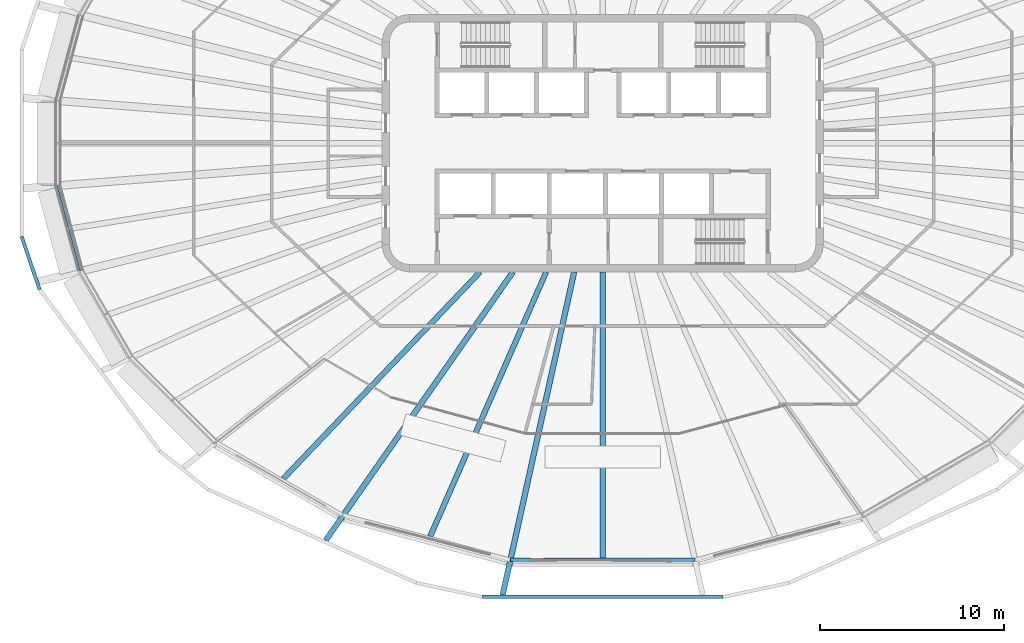
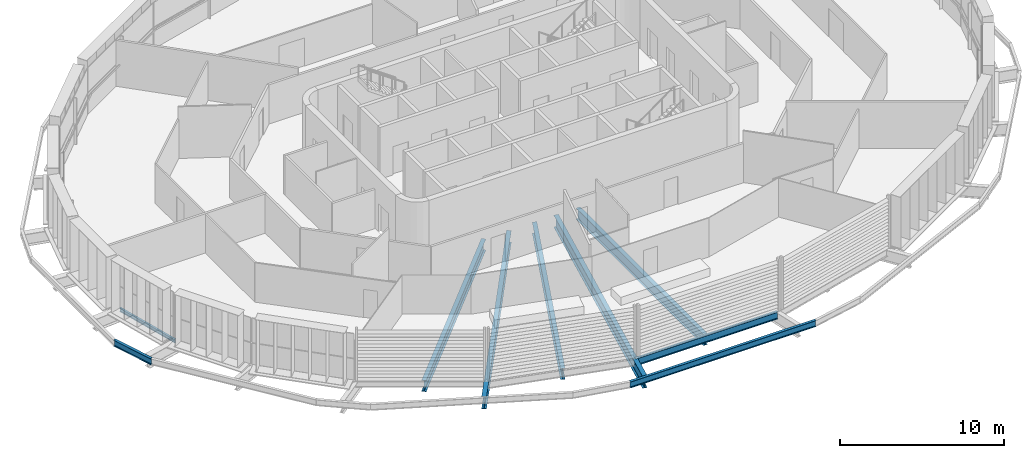
# One storey, part 2 of 20: 9 beams.
"""IFC4 building model written with IfcOpenShell, lengths in metres."""

from ifc_helpers import new_model, si_unit, direction, frame, origin, origin_2d, place, context, subcontext, project, spatial, i_section, extrude, material, material_profile, profile_set, type_object, element, save


model = new_model("IFC4")

# Units and contexts
model_context = context("Model", 3, precision=1e-05, world=origin(), true_north=direction((0.0, 1.0)))
body_context = subcontext(model_context, "Body", "Model", "MODEL_VIEW")
ifc_project = project(units=[si_unit("LENGTHUNIT", "METRE"), si_unit("AREAUNIT", "SQUARE_METRE"), si_unit("VOLUMEUNIT", "CUBIC_METRE"), si_unit("PLANEANGLEUNIT", "RADIAN"), si_unit("MASSUNIT", "GRAM", prefix="KILO")], contexts=[model_context])

# Site, building, storey
site_placement = place(None, origin())
site = spatial("IfcSite", under=ifc_project, at=site_placement, CompositionType="ELEMENT")
building_placement = place(site_placement, origin())
building = spatial("IfcBuilding", under=site, at=building_placement, Name="Sahrelin Media Tower", CompositionType="ELEMENT")
storey_placement = place(building_placement, frame((0.0, 0.0, 271.0)))
storey = spatial("IfcBuildingStorey", under=building, at=storey_placement, Name="L59", CompositionType="ELEMENT", Elevation=271.0)

# Beams
ifc_material = material(Name="Steel S355", Category="steel")
ifc_material_profile_1 = material_profile(ifc_material, i_section(OverallWidth=0.14599609375, OverallDepth=0.25146484375, WebThickness=0.006103515625, FlangeThickness=0.008544921875, FilletRadius=0.007568359375, at=origin_2d()), Name="UB 254x146x31")
ifc_profile_set_1 = profile_set([ifc_material_profile_1], Name="Steel S355")
beam_type_1 = type_object("IfcBeamType", Name="Edge beam EB1", PredefinedType="BEAM", material=ifc_profile_set_1)
beam_1_placement = place(storey_placement, frame((-28.3701171875, -6.9189453125, -0.275634765625), z_axis=(-0.258765089841, 0.965940281943, 0.0), x_axis=(-0.965940281943, -0.258765089841, 0.0)))
element("IfcBeam", 1, at=beam_1_placement, inside=storey, type_object=beam_type_1, Name="Edge beam L59-12", PredefinedType="BEAM", context=body_context, shape_type="SweptSolid", body=[
    extrude(i_section(OverallWidth=0.14599609375, OverallDepth=0.25146484375, WebThickness=0.006103515625, FlangeThickness=0.008544921875, FilletRadius=0.007568359375, at=origin_2d()), origin(), (0.0, 0.0, 1.0), 4.768310546875),
])
ifc_material_profile_2 = material_profile(ifc_material, i_section(OverallWidth=0.208740234375, OverallDepth=0.5283203125, WebThickness=0.009521484375, FlangeThickness=0.01318359375, FilletRadius=0.0126953125, at=origin_2d()), Name="UB 533x210x82")
ifc_profile_set_2 = profile_set([ifc_material_profile_2], Name="Steel S355")
beam_type_2 = type_object("IfcBeamType", Name="Edge beam EB6", PredefinedType="BEAM", material=ifc_profile_set_2)
beam_2_placement = place(storey_placement, frame((5.0166015625, -22.66162109375, -0.464111328125), z_axis=(-1.0, 0.0, 0.0), x_axis=(0.0, -1.0, 0.0)))
element("IfcBeam", 2, at=beam_2_placement, inside=storey, type_object=beam_type_2, Name="Edge beam L59-07", PredefinedType="BEAM", context=body_context, shape_type="SweptSolid", body=[
    extrude(i_section(OverallWidth=0.208740234375, OverallDepth=0.5283203125, WebThickness=0.009521484375, FlangeThickness=0.01318359375, FilletRadius=0.0126953125, at=origin_2d()), origin(), (0.0, 0.0, 1.0), 10.033203125),
])
ifc_material_profile_3 = material_profile(ifc_material, i_section(OverallWidth=0.30322265625, OverallDepth=0.903076171875, WebThickness=0.01513671875, FlangeThickness=0.020263671875, FilletRadius=0.01904296875, at=origin_2d()), Name="UB 914x305x201")
ifc_profile_set_3 = profile_set([ifc_material_profile_3], Name="Steel S355")
beam_type_3 = type_object("IfcBeamType", Name="Radial primary beam PB11", PredefinedType="BEAM", material=ifc_profile_set_3)
beam_3_placement = place(storey_placement, frame((-4.881103515625, -7.0, -0.651611328125), z_axis=(-0.571979497162, -0.820267916492, 0.0), x_axis=(0.820267916492, -0.571979497162, 0.0)))
element("IfcBeam", 3, at=beam_3_placement, inside=storey, type_object=beam_type_3, Name="Radial beam L59-17", PredefinedType="BEAM", context=body_context, shape_type="SweptSolid", body=[
    extrude(i_section(OverallWidth=0.30322265625, OverallDepth=0.903076171875, WebThickness=0.01513671875, FlangeThickness=0.020263671875, FilletRadius=0.01904296875, at=origin_2d()), origin(), (0.0, 0.0, 1.0), 17.801513671875),
])
beam_4_placement = place(storey_placement, frame((-1.550048828125, -7.0, -0.651611328125), z_axis=(-0.216179890333, -0.976353550214, 0.0), x_axis=(0.976353550214, -0.216179890333, 0.0)))
element("IfcBeam", 4, at=beam_4_placement, inside=storey, type_object=beam_type_3, Name="Radial beam L59-18", PredefinedType="BEAM", context=body_context, shape_type="SweptSolid", body=[
    extrude(i_section(OverallWidth=0.30322265625, OverallDepth=0.903076171875, WebThickness=0.01513671875, FlangeThickness=0.020263671875, FilletRadius=0.01904296875, at=origin_2d()), origin(), (0.0, 0.0, 1.0), 18.01416015625),
])
ifc_material_profile_4 = material_profile(ifc_material, i_section(OverallWidth=0.291748046875, OverallDepth=0.8349609375, WebThickness=0.013916015625, FlangeThickness=0.018798828125, FilletRadius=0.017822265625, at=origin_2d()), Name="UB 838x292x176")
ifc_profile_set_4 = profile_set([ifc_material_profile_4], Name="Steel S355")
beam_type_4 = type_object("IfcBeamType", Name="Radial secondary beam SB10", PredefinedType="BEAM", material=ifc_profile_set_4)
beam_5_placement = place(storey_placement, frame((-6.66357421875, -7.0, -0.617431640625), z_axis=(-0.689494250155, -0.724291156237, 0.0), x_axis=(0.724291156237, -0.689494250155, 0.0)))
element("IfcBeam", 5, at=beam_5_placement, inside=storey, type_object=beam_type_4, Name="Secondary beam L59-16", PredefinedType="BEAM", context=body_context, shape_type="SweptSolid", body=[
    extrude(i_section(OverallWidth=0.291748046875, OverallDepth=0.8349609375, WebThickness=0.013916015625, FlangeThickness=0.018798828125, FilletRadius=0.017822265625, at=origin_2d()), origin(), (0.0, 0.0, 1.0), 15.53369140625),
])
beam_6_placement = place(storey_placement, frame((-3.07080078125, -7.0, -0.617431640625), z_axis=(-0.40173488582, -0.915756016368, 0.0), x_axis=(0.915756016368, -0.40173488582, 0.0)))
element("IfcBeam", 6, at=beam_6_placement, inside=storey, type_object=beam_type_4, Name="Secondary beam L59-17", PredefinedType="BEAM", context=body_context, shape_type="SweptSolid", body=[
    extrude(i_section(OverallWidth=0.291748046875, OverallDepth=0.8349609375, WebThickness=0.013916015625, FlangeThickness=0.018798828125, FilletRadius=0.017822265625, at=origin_2d()), origin(), (0.0, 0.0, 1.0), 15.711181640625),
])
beam_7_placement = place(storey_placement, frame((0.0, -7.0, -0.617431640625), z_axis=(0.0, -1.0, 0.0), x_axis=(1.0, 0.0, 0.0)))
element("IfcBeam", 7, at=beam_7_placement, inside=storey, type_object=beam_type_4, Name="Secondary beam L59-18", PredefinedType="BEAM", context=body_context, shape_type="SweptSolid", body=[
    extrude(i_section(OverallWidth=0.291748046875, OverallDepth=0.8349609375, WebThickness=0.013916015625, FlangeThickness=0.018798828125, FilletRadius=0.017822265625, at=origin_2d()), origin(), (0.0, 0.0, 1.0), 15.557373046875),
])
ifc_material_profile_5 = material_profile(ifc_material, i_section(OverallWidth=0.1904296875, OverallDepth=0.45703125, WebThickness=0.009033203125, FlangeThickness=0.014404296875, FilletRadius=0.01025390625, at=origin_2d()), Name="UB 457x191x74")
ifc_profile_set_5 = profile_set([ifc_material_profile_5], Name="Steel S355")
beam_type_5 = type_object("IfcBeamType", Name="Tie chord TC5", PredefinedType="BEAM", material=ifc_profile_set_5)
beam_8_placement = place(storey_placement, frame((-31.597900390625, -5.080078125, -0.37841796875), z_axis=(0.318942941821, -0.947773918117, 0.0), x_axis=(0.947773918117, 0.318942941821, 0.0)))
element("IfcBeam", 8, at=beam_8_placement, inside=storey, type_object=beam_type_5, Name="Tie chord L59-13", PredefinedType="BEAM", context=body_context, shape_type="SweptSolid", body=[
    extrude(i_section(OverallWidth=0.1904296875, OverallDepth=0.45703125, WebThickness=0.009033203125, FlangeThickness=0.014404296875, FilletRadius=0.01025390625, at=origin_2d()), origin(), (0.0, 0.0, 1.0), 3.019775390625),
])
beam_9_placement = place(storey_placement, frame((-6.54052734375, -24.683349609375, -0.37841796875), z_axis=(1.0, 0.0, 0.0), x_axis=(0.0, 1.0, 0.0)))
element("IfcBeam", 9, at=beam_9_placement, inside=storey, type_object=beam_type_5, Name="Tie chord L59-18", PredefinedType="BEAM", context=body_context, shape_type="SweptSolid", body=[
    extrude(i_section(OverallWidth=0.1904296875, OverallDepth=0.45703125, WebThickness=0.009033203125, FlangeThickness=0.014404296875, FilletRadius=0.01025390625, at=origin_2d()), origin(), (0.0, 0.0, 1.0), 13.0810546875),
])

save(model, "model.ifc")
